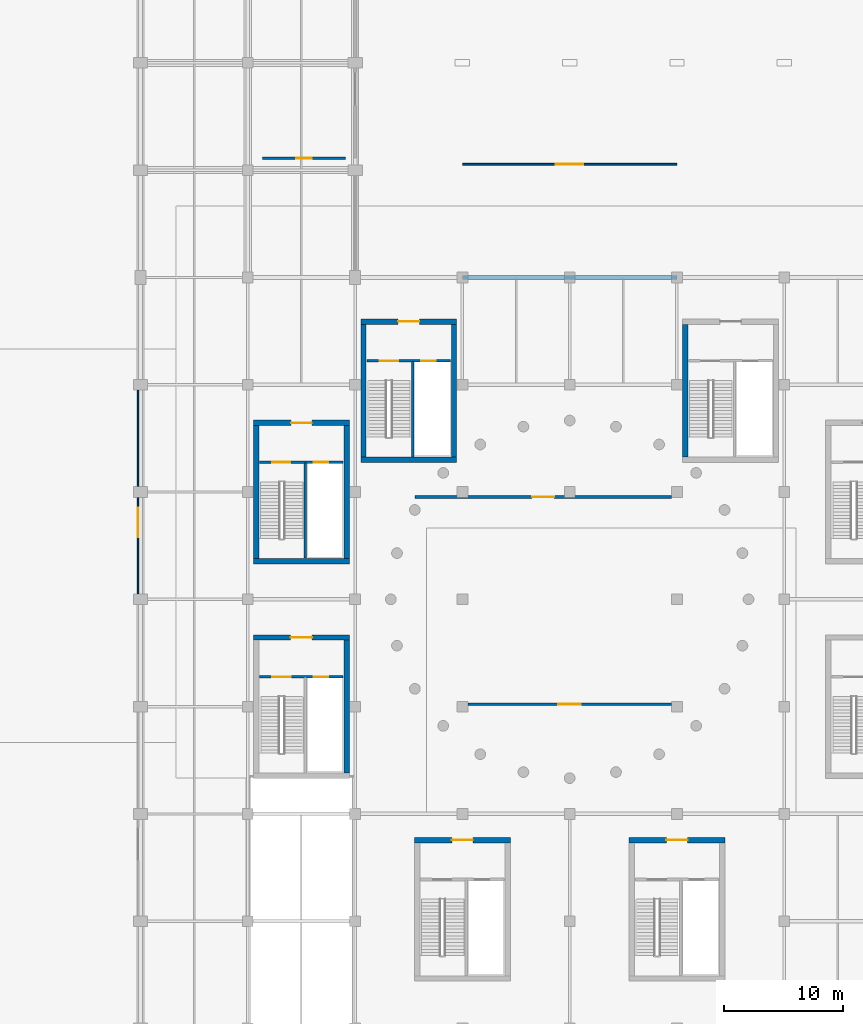
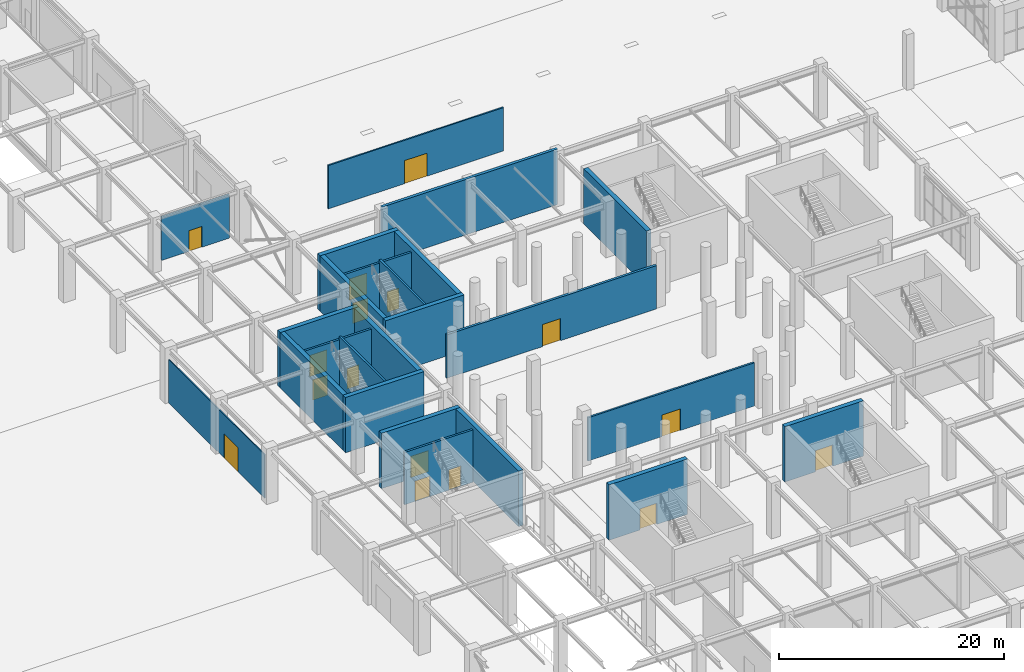
# One storey, part 63 of 91: 24 walls, 16 doors, 16 openings.
"""IFC4 building model written with IfcOpenShell, lengths in metres."""

import ifcopenshell
import ifcopenshell.guid

model = None  # the IFC model being written
_history = None  # IfcOwnerHistory: only IFC2X3 demands one
_inside = {}  # id of a spatial element -> (the spatial element, [elements in it])
_under = {}  # id of a project, library or spatial element -> (it, [spatial elements below it])
_declared = {}  # id of a project -> (the project, [libraries it declares])
_typed = {}  # id of a type object -> (the type object, [elements of that type])
_made_of = {}  # id of a material, layer set ... -> (it, [elements and type objects made of it])


def new_model(schema):
    """Start an empty IFC model of exactly this schema.

    Asked for "IFC4X3", IfcOpenShell would pick the latest addendum, in which some entities
    have other attributes; the version numbers below select the first issue.
    IFC2X3 requires an IfcOwnerHistory on every rooted entity: one is made here for all.
    """
    global model, _history
    if schema == "IFC4X3":
        model = ifcopenshell.file(schema_version=(4, 3, 0, 0))
    else:
        model = ifcopenshell.file(schema=schema)
    _inside.clear()
    _under.clear()
    _declared.clear()
    _typed.clear()
    _made_of.clear()
    _history = None
    if model.schema == "IFC2X3":
        org = make("IfcOrganization", Name="unknown")
        user = make(
            "IfcPersonAndOrganization",
            ThePerson=make("IfcPerson", FamilyName="unknown"),
            TheOrganization=org,
        )
        app = make(
            "IfcApplication",
            ApplicationDeveloper=org,
            Version="unknown",
            ApplicationFullName="unknown",
            ApplicationIdentifier="unknown",
        )
        _history = make(
            "IfcOwnerHistory",
            OwningUser=user,
            OwningApplication=app,
            ChangeAction="ADDED",
            CreationDate=0,
        )
    return model


def make(cls, **values):
    """One entity of the class cls with the attributes given. An attribute that is None is left unset."""
    return model.create_entity(
        cls, **{name: value for name, value in values.items() if value is not None}
    )


def rooted(cls, **values):
    """An entity with a GlobalId (a new one), such as an element, a storey or a relation."""
    return make(cls, GlobalId=ifcopenshell.guid.new(), OwnerHistory=_history, **values)


def si_unit(unit_type, name, prefix=None):
    """IfcSIUnit, for example si_unit("LENGTHUNIT", "METRE", prefix="MILLI")."""
    return make("IfcSIUnit", UnitType=unit_type, Prefix=prefix, Name=name)


def assignment(units):
    """IfcUnitAssignment: the units of a project."""
    return None if units is None else make("IfcUnitAssignment", Units=units)


def point(xyz):
    """IfcCartesianPoint."""
    return None if xyz is None else make("IfcCartesianPoint", Coordinates=xyz)


def direction(xyz):
    """IfcDirection."""
    return None if xyz is None else make("IfcDirection", DirectionRatios=xyz)


def frame(location, z_axis=None, x_axis=None):
    """IfcAxis2Placement3D, a coordinate frame: its origin and axes. An axis left out is left unset."""
    return make(
        "IfcAxis2Placement3D",
        Location=point(location),
        Axis=direction(z_axis),
        RefDirection=direction(x_axis),
    )


def frame_2d(location, x_axis=None):
    """IfcAxis2Placement2D, a coordinate frame in the plane: its origin and x axis."""
    return make(
        "IfcAxis2Placement2D", Location=point(location), RefDirection=direction(x_axis)
    )


def origin():
    """The frame at (0, 0, 0) with its axes left unset."""
    return frame((0.0, 0.0, 0.0))


def place(relative_to, where):
    """IfcLocalPlacement: puts the frame where relative to a parent placement (None: the world)."""
    return make(
        "IfcLocalPlacement", PlacementRelTo=relative_to, RelativePlacement=where
    )


def context(
    kind, dimensions, precision=None, world=None, true_north=None, identifier=None
):
    """IfcGeometricRepresentationContext, for example the 3D "Model" context."""
    return make(
        "IfcGeometricRepresentationContext",
        ContextIdentifier=identifier,
        ContextType=kind,
        CoordinateSpaceDimension=dimensions,
        Precision=precision,
        WorldCoordinateSystem=world,
        TrueNorth=true_north,
    )


def subcontext(parent, identifier, kind, view, scale=None):
    """IfcGeometricRepresentationSubContext, for example "Body" below "Model"."""
    return make(
        "IfcGeometricRepresentationSubContext",
        ContextIdentifier=identifier,
        ContextType=kind,
        ParentContext=parent,
        TargetScale=scale,
        TargetView=view,
    )


def project(units=None, contexts=None):
    """IfcProject with its units and contexts."""
    return rooted(
        "IfcProject",
        Name="project",
        RepresentationContexts=contexts,
        UnitsInContext=assignment(units),
    )


def spatial(cls, under=None, at=None, **own):
    """A site, building, storey or space (cls), placed at a placement, below another one or the project."""
    s = rooted(cls, ObjectPlacement=at, **own)
    if under is not None:
        _under.setdefault(under.id(), (under, []))[1].append(s)
    return s


def profile(cls, at=None, kind="AREA", **sizes):
    """A parametric profile (cls). Its sizes go by their IFC names, for example OverallWidth=200.0."""
    return make(cls, ProfileType=kind, Position=at, **sizes)


def rectangle(**sizes):
    """IfcRectangleProfileDef."""
    return profile("IfcRectangleProfileDef", **sizes)


def extrude(swept, where, along, depth):
    """IfcExtrudedAreaSolid: the profile swept, set in the frame where, extruded along a direction by depth."""
    return make(
        "IfcExtrudedAreaSolid",
        SweptArea=swept,
        Position=where,
        ExtrudedDirection=direction(along),
        Depth=depth,
    )


def shape(context_of_items, identifier, shape_type, items):
    """IfcShapeRepresentation: the items that make up one representation, for example the "Body"."""
    return make(
        "IfcShapeRepresentation",
        ContextOfItems=context_of_items,
        RepresentationIdentifier=identifier,
        RepresentationType=shape_type,
        Items=items,
    )


def material(Name=None, Category=None):
    """IfcMaterial."""
    return make("IfcMaterial", Name=Name, Category=Category)


def layer(
    of_material, thickness, ventilated=None, Name=None, Category=None, Priority=None
):
    """IfcMaterialLayer: one layer of a wall or slab, of a material (None: an air gap)."""
    return make(
        "IfcMaterialLayer",
        Material=of_material,
        LayerThickness=thickness,
        IsVentilated=ventilated,
        Name=Name,
        Category=Category,
        Priority=Priority,
    )


def layer_set(layers, Name=None):
    """IfcMaterialLayerSet."""
    return make("IfcMaterialLayerSet", MaterialLayers=layers, LayerSetName=Name)


def made_of(thing, what):
    """Note that an element or type object is made of a material, layer set ...; save() writes the relation."""
    if what is not None:
        _made_of.setdefault(what.id(), (what, []))[1].append(thing)
    return thing


def type_object(cls, material=None, **own):
    """A type object (cls), such as IfcWallType, which elements share."""
    return made_of(rooted(cls, **own), material)


def element(
    cls,
    number,
    at=None,
    inside=None,
    cuts=None,
    type_object=None,
    material=None,
    context=None,
    identifier="Body",
    shape_type=None,
    held_by="IfcProductDefinitionShape",
    body=None,
    shapes=None,
    **own,
):
    """One element of the class cls, such as IfcWall. Its Tag is "e" and its number.

    at: its placement. inside: the storey or other place that contains it. cuts: it is an
    opening in that element (IfcRelVoidsElement). A single representation is given by context,
    identifier, shape_type and body (its items); several are given by shapes. held_by: the class
    of the entity that holds the representations. save() writes the other relations.
    """
    e = rooted(cls, Tag="e%d" % number, ObjectPlacement=at, **own)
    if body is not None:
        shapes = [shape(context, identifier, shape_type, body)]
    if shapes is not None:
        e.Representation = make(held_by, Representations=shapes)
    if inside is not None:
        _inside.setdefault(inside.id(), (inside, []))[1].append(e)
    if cuts is not None:
        rooted(
            "IfcRelVoidsElement", RelatingBuildingElement=cuts, RelatedOpeningElement=e
        )
    if type_object is not None:
        _typed.setdefault(type_object.id(), (type_object, []))[1].append(e)
    return made_of(e, material)


def fill(opening, filler):
    """IfcRelFillsElement: the door or window that sits in an opening."""
    return rooted(
        "IfcRelFillsElement",
        RelatingOpeningElement=opening,
        RelatedBuildingElement=filler,
    )


def aggregate(whole, parts):
    """IfcRelAggregates: a whole, such as a stair, and the parts it consists of."""
    return rooted("IfcRelAggregates", RelatingObject=whole, RelatedObjects=parts)


def save(model, path):
    """Write the relations noted so far, then the file.

    IfcRelAggregates (storeys below a building ...), IfcRelContainedInSpatialStructure (elements
    in a storey), IfcRelDefinesByType, IfcRelAssociatesMaterial and IfcRelDeclares: one each for
    every whole, place, type object, material and project.
    """
    for whole, parts in _under.values():
        aggregate(whole, parts)
    for where, things in _inside.values():
        rooted(
            "IfcRelContainedInSpatialStructure",
            RelatedElements=things,
            RelatingStructure=where,
        )
    for kind, things in _typed.values():
        rooted("IfcRelDefinesByType", RelatedObjects=things, RelatingType=kind)
    for what, things in _made_of.values():
        rooted("IfcRelAssociatesMaterial", RelatedObjects=things, RelatingMaterial=what)
    for by, libraries in _declared.values():
        rooted("IfcRelDeclares", RelatingContext=by, RelatedDefinitions=libraries)
    model.write(path)


model = new_model("IFC4")

# Units and contexts
model_context = context("Model", 3, precision=1e-05, world=origin(), true_north=direction((0.0, 1.0)))
body_context = subcontext(model_context, "Body", "Model", "MODEL_VIEW")
ifc_project = project(units=[si_unit("LENGTHUNIT", "METRE"), si_unit("AREAUNIT", "SQUARE_METRE"), si_unit("VOLUMEUNIT", "CUBIC_METRE"), si_unit("PLANEANGLEUNIT", "RADIAN"), si_unit("MASSUNIT", "GRAM", prefix="KILO")], contexts=[model_context])

# Site, building, storey
site_placement = place(None, origin())
site = spatial("IfcSite", under=ifc_project, at=site_placement, CompositionType="ELEMENT")
building_placement = place(site_placement, origin())
building = spatial("IfcBuilding", under=site, at=building_placement, Name="Dornveld Trade and Exhibition Forum", CompositionType="ELEMENT")
storey_placement = place(building_placement, origin())
storey = spatial("IfcBuildingStorey", under=building, at=storey_placement, Name="L00", CompositionType="ELEMENT", Elevation=0.0)

# Walls
ifc_material_1 = material(Name="Concrete C40/50", Category="concrete")
ifc_layer_1 = layer(ifc_material_1, 0.449951171875)
ifc_layer_set_1 = layer_set([ifc_layer_1], Name="Concrete C40/50")
wall_type_1 = type_object("IfcWallType", Name="WL-CORE-450", PredefinedType="SHEAR", material=ifc_layer_set_1)
wall_1_placement = place(storey_placement, frame((126.699951171875, 92.925048828125, 0.0), z_axis=(0.0, 0.0, 1.0), x_axis=(0.0, 1.0, 0.0)))
element("IfcWall", 1, at=wall_1_placement, inside=storey, type_object=wall_type_1, Name="CORE-02 L00 shear wall W", PredefinedType="SHEAR", context=body_context, shape_type="SweptSolid", body=[
    extrude(rectangle(XDim=11.14990234375, YDim=0.449951171875, at=frame_2d((5.574951171875, 0.0))), origin(), (0.0, 0.0, 1.0), 6.0),
])
wall_2_placement = place(storey_placement, frame((99.47509765625, 92.699951171875, 0.0), z_axis=(0.0, 0.0, 1.0), x_axis=(1.0, 0.0, 0.0)))
element("IfcWall", 2, at=wall_2_placement, inside=storey, type_object=wall_type_1, Name="CORE-03 L00 shear wall S", PredefinedType="SHEAR", context=body_context, shape_type="SweptSolid", body=[
    extrude(rectangle(XDim=8.0498046875, YDim=0.449951171875, at=frame_2d((4.02490234375, 0.0))), origin(), (0.0, 0.0, 1.0), 6.0),
])

# Wall, opening, door
wall_3_placement = place(storey_placement, frame((99.47509765625, 104.300048828125, 0.0), z_axis=(0.0, 0.0, 1.0), x_axis=(1.0, 0.0, 0.0)))
wall_3 = element("IfcWall", 3, at=wall_3_placement, inside=storey, type_object=wall_type_1, Name="CORE-03 L00 shear wall N", PredefinedType="SHEAR", context=body_context, shape_type="SweptSolid", body=[
    extrude(rectangle(XDim=8.0498046875, YDim=0.449951171875, at=frame_2d((4.02490234375, 0.0))), origin(), (0.0, 0.0, 1.0), 6.0),
])
opening_1_placement = place(wall_3_placement, frame((3.125, 0.0, 0.0)))
opening_1 = element("IfcOpeningElement", 4, at=opening_1_placement, cuts=wall_3, Name="Opening CD-03-L00", PredefinedType="OPENING", context=body_context, shape_type="SweptSolid", body=[
    extrude(rectangle(XDim=1.800048828125, YDim=2.300048828125, at=frame_2d((0.89990234375, 1.14990234375))), frame((0.0, 0.23486328125, 0.0), z_axis=(0.0, -1.0, 0.0), x_axis=(1.0, 0.0, 0.0)), (0.0, 0.0, 1.0), 0.469970703125),
])
ifc_material_2 = material(Name="Steel fire-rated double door assembly", Category="steel")
door_type_1 = type_object("IfcDoorType", Name="DR-CORE-180x230", OperationType="NOTDEFINED", PredefinedType="DOOR", material=ifc_material_2)
door_1_placement = place(opening_1_placement, origin())
door_1 = element("IfcDoor", 5, at=door_1_placement, inside=storey, type_object=door_type_1, Name="CORE-03 L00 core lobby double fire door", OperationType="DOUBLE_DOOR_SINGLE_SWING", OverallHeight=2.300048828125, OverallWidth=1.800048828125, PredefinedType="DOOR", context=body_context, shape_type="SweptSolid", body=[
    extrude(rectangle(XDim=1.800048828125, YDim=2.300048828125, at=frame_2d((0.89990234375, 1.14990234375))), frame((0.0, 0.02490234375, 0.0), z_axis=(0.0, -1.0, 0.0), x_axis=(1.0, 0.0, 0.0)), (0.0, 0.0, 1.0), 0.050048828125),
])
fill(opening_1, door_1)

# Walls
for number, where, z_axis, x_axis, name in (
    (6, (99.699951171875, 92.925048828125, 0.0), (0.0, 0.0, 1.0), (0.0, 1.0, 0.0), "CORE-03 L00 shear wall W"),
    (7, (107.300048828125, 92.925048828125, 0.0), (0.0, 0.0, 1.0), (0.0, 1.0, 0.0), "CORE-03 L00 shear wall E"),
):
    element("IfcWall", number, at=place(storey_placement, frame(where, z_axis=z_axis, x_axis=x_axis)), inside=storey, type_object=wall_type_1, Name=name, PredefinedType="SHEAR", context=body_context, shape_type="SweptSolid", body=[
        extrude(rectangle(XDim=11.14990234375, YDim=0.449951171875, at=frame_2d((5.574951171875, 0.0))), origin(), (0.0, 0.0, 1.0), 6.0),
    ])
wall_4_placement = place(storey_placement, frame((90.47509765625, 84.199951171875, 0.0), z_axis=(0.0, 0.0, 1.0), x_axis=(1.0, 0.0, 0.0)))
element("IfcWall", 8, at=wall_4_placement, inside=storey, type_object=wall_type_1, Name="CORE-04 L00 shear wall S", PredefinedType="SHEAR", context=body_context, shape_type="SweptSolid", body=[
    extrude(rectangle(XDim=8.0498046875, YDim=0.449951171875, at=frame_2d((4.02490234375, 0.0))), origin(), (0.0, 0.0, 1.0), 6.0),
])

# Wall, opening, door
wall_5_placement = place(storey_placement, frame((90.47509765625, 95.800048828125, 0.0), z_axis=(0.0, 0.0, 1.0), x_axis=(1.0, 0.0, 0.0)))
wall_5 = element("IfcWall", 9, at=wall_5_placement, inside=storey, type_object=wall_type_1, Name="CORE-04 L00 shear wall N", PredefinedType="SHEAR", context=body_context, shape_type="SweptSolid", body=[
    extrude(rectangle(XDim=8.0498046875, YDim=0.449951171875, at=frame_2d((4.02490234375, 0.0))), origin(), (0.0, 0.0, 1.0), 6.0),
])
opening_2_placement = place(wall_5_placement, frame((3.14990234375, 0.0, 0.0)))
opening_2 = element("IfcOpeningElement", 10, at=opening_2_placement, cuts=wall_5, Name="Opening CD-04-L00", PredefinedType="OPENING", context=body_context, shape_type="SweptSolid", body=[
    extrude(rectangle(XDim=1.75, YDim=2.300048828125, at=frame_2d((0.875, 1.14990234375))), frame((0.0, 0.23486328125, 0.0), z_axis=(0.0, -1.0, 0.0), x_axis=(1.0, 0.0, 0.0)), (0.0, 0.0, 1.0), 0.469970703125),
])
ifc_material_3 = material(Name="Steel fire-rated double door assembly", Category="steel")
door_type_2 = type_object("IfcDoorType", Name="DR-CORE-175x230", OperationType="NOTDEFINED", PredefinedType="DOOR", material=ifc_material_3)
door_2_placement = place(opening_2_placement, origin())
door_2 = element("IfcDoor", 11, at=door_2_placement, inside=storey, type_object=door_type_2, Name="CORE-04 L00 core lobby double fire door", OperationType="DOUBLE_DOOR_SINGLE_SWING", OverallHeight=2.300048828125, OverallWidth=1.75, PredefinedType="DOOR", context=body_context, shape_type="SweptSolid", body=[
    extrude(rectangle(XDim=1.75, YDim=2.300048828125, at=frame_2d((0.875, 1.14990234375))), frame((0.0, 0.02490234375, 0.0), z_axis=(0.0, -1.0, 0.0), x_axis=(1.0, 0.0, 0.0)), (0.0, 0.0, 1.0), 0.050048828125),
])
fill(opening_2, door_2)

# Walls
for number, where, z_axis, x_axis, name in (
    (12, (90.699951171875, 84.425048828125, 0.0), (0.0, 0.0, 1.0), (0.0, 1.0, 0.0), "CORE-04 L00 shear wall W"),
    (13, (98.300048828125, 84.425048828125, 0.0), (0.0, 0.0, 1.0), (0.0, 1.0, 0.0), "CORE-04 L00 shear wall E"),
):
    element("IfcWall", number, at=place(storey_placement, frame(where, z_axis=z_axis, x_axis=x_axis)), inside=storey, type_object=wall_type_1, Name=name, PredefinedType="SHEAR", context=body_context, shape_type="SweptSolid", body=[
        extrude(rectangle(XDim=11.14990234375, YDim=0.449951171875, at=frame_2d((5.574951171875, 0.0))), origin(), (0.0, 0.0, 1.0), 6.0),
    ])

# Wall, opening, door
wall_6_placement = place(storey_placement, frame((90.47509765625, 77.800048828125, 0.0), z_axis=(0.0, 0.0, 1.0), x_axis=(1.0, 0.0, 0.0)))
wall_6 = element("IfcWall", 14, at=wall_6_placement, inside=storey, type_object=wall_type_1, Name="CORE-05 L00 shear wall N", PredefinedType="SHEAR", context=body_context, shape_type="SweptSolid", body=[
    extrude(rectangle(XDim=8.0498046875, YDim=0.449951171875, at=frame_2d((4.02490234375, 0.0))), origin(), (0.0, 0.0, 1.0), 6.0),
])
opening_3_placement = place(wall_6_placement, frame((3.125, 0.0, 0.0)))
opening_3 = element("IfcOpeningElement", 15, at=opening_3_placement, cuts=wall_6, Name="Opening CD-05-L00", PredefinedType="OPENING", context=body_context, shape_type="SweptSolid", body=[
    extrude(rectangle(XDim=1.800048828125, YDim=2.300048828125, at=frame_2d((0.89990234375, 1.14990234375))), frame((0.0, 0.23486328125, 0.0), z_axis=(0.0, -1.0, 0.0), x_axis=(1.0, 0.0, 0.0)), (0.0, 0.0, 1.0), 0.469970703125),
])
door_3_placement = place(opening_3_placement, origin())
door_3 = element("IfcDoor", 16, at=door_3_placement, inside=storey, type_object=door_type_1, Name="CORE-05 L00 core lobby double fire door", OperationType="DOUBLE_DOOR_SINGLE_SWING", OverallHeight=2.300048828125, OverallWidth=1.800048828125, PredefinedType="DOOR", context=body_context, shape_type="SweptSolid", body=[
    extrude(rectangle(XDim=1.800048828125, YDim=2.300048828125, at=frame_2d((0.89990234375, 1.14990234375))), frame((0.0, 0.02490234375, 0.0), z_axis=(0.0, -1.0, 0.0), x_axis=(1.0, 0.0, 0.0)), (0.0, 0.0, 1.0), 0.050048828125),
])
fill(opening_3, door_3)

# Wall
wall_7_placement = place(storey_placement, frame((98.300048828125, 66.425048828125, 0.0), z_axis=(0.0, 0.0, 1.0), x_axis=(0.0, 1.0, 0.0)))
element("IfcWall", 17, at=wall_7_placement, inside=storey, type_object=wall_type_1, Name="CORE-05 L00 shear wall E", PredefinedType="SHEAR", context=body_context, shape_type="SweptSolid", body=[
    extrude(rectangle(XDim=11.14990234375, YDim=0.449951171875, at=frame_2d((5.574951171875, 0.0))), origin(), (0.0, 0.0, 1.0), 6.0),
])

# Wall, opening, door
wall_8_placement = place(storey_placement, frame((103.97509765625, 60.800048828125, 0.0), z_axis=(0.0, 0.0, 1.0), x_axis=(1.0, 0.0, 0.0)))
wall_8 = element("IfcWall", 18, at=wall_8_placement, inside=storey, type_object=wall_type_1, Name="CORE-06 L00 shear wall N", PredefinedType="SHEAR", context=body_context, shape_type="SweptSolid", body=[
    extrude(rectangle(XDim=8.0498046875, YDim=0.449951171875, at=frame_2d((4.02490234375, 0.0))), origin(), (0.0, 0.0, 1.0), 6.0),
])
opening_4_placement = place(wall_8_placement, frame((3.14990234375, 0.0, 0.0)))
opening_4 = element("IfcOpeningElement", 19, at=opening_4_placement, cuts=wall_8, Name="Opening CD-06-L00", PredefinedType="OPENING", context=body_context, shape_type="SweptSolid", body=[
    extrude(rectangle(XDim=1.75, YDim=2.300048828125, at=frame_2d((0.875, 1.14990234375))), frame((0.0, 0.23486328125, 0.0), z_axis=(0.0, -1.0, 0.0), x_axis=(1.0, 0.0, 0.0)), (0.0, 0.0, 1.0), 0.469970703125),
])
door_4_placement = place(opening_4_placement, origin())
door_4 = element("IfcDoor", 20, at=door_4_placement, inside=storey, type_object=door_type_2, Name="CORE-06 L00 core lobby double fire door", OperationType="DOUBLE_DOOR_SINGLE_SWING", OverallHeight=2.300048828125, OverallWidth=1.75, PredefinedType="DOOR", context=body_context, shape_type="SweptSolid", body=[
    extrude(rectangle(XDim=1.75, YDim=2.300048828125, at=frame_2d((0.875, 1.14990234375))), frame((0.0, 0.02490234375, 0.0), z_axis=(0.0, -1.0, 0.0), x_axis=(1.0, 0.0, 0.0)), (0.0, 0.0, 1.0), 0.050048828125),
])
fill(opening_4, door_4)

wall_9_placement = place(storey_placement, frame((121.97509765625, 60.800048828125, 0.0), z_axis=(0.0, 0.0, 1.0), x_axis=(1.0, 0.0, 0.0)))
wall_9 = element("IfcWall", 21, at=wall_9_placement, inside=storey, type_object=wall_type_1, Name="CORE-07 L00 shear wall N", PredefinedType="SHEAR", context=body_context, shape_type="SweptSolid", body=[
    extrude(rectangle(XDim=8.0498046875, YDim=0.449951171875, at=frame_2d((4.02490234375, 0.0))), origin(), (0.0, 0.0, 1.0), 6.0),
])
opening_5_placement = place(wall_9_placement, frame((3.125, 0.0, 0.0)))
opening_5 = element("IfcOpeningElement", 22, at=opening_5_placement, cuts=wall_9, Name="Opening CD-07-L00", PredefinedType="OPENING", context=body_context, shape_type="SweptSolid", body=[
    extrude(rectangle(XDim=1.800048828125, YDim=2.300048828125, at=frame_2d((0.89990234375, 1.14990234375))), frame((0.0, 0.23486328125, 0.0), z_axis=(0.0, -1.0, 0.0), x_axis=(1.0, 0.0, 0.0)), (0.0, 0.0, 1.0), 0.469970703125),
])
door_5_placement = place(opening_5_placement, origin())
door_5 = element("IfcDoor", 23, at=door_5_placement, inside=storey, type_object=door_type_1, Name="CORE-07 L00 core lobby double fire door", OperationType="DOUBLE_DOOR_SINGLE_SWING", OverallHeight=2.300048828125, OverallWidth=1.800048828125, PredefinedType="DOOR", context=body_context, shape_type="SweptSolid", body=[
    extrude(rectangle(XDim=1.800048828125, YDim=2.300048828125, at=frame_2d((0.89990234375, 1.14990234375))), frame((0.0, 0.02490234375, 0.0), z_axis=(0.0, -1.0, 0.0), x_axis=(1.0, 0.0, 0.0)), (0.0, 0.0, 1.0), 0.050048828125),
])
fill(opening_5, door_5)

# Wall
ifc_material_4 = material(Name="Concrete C40/50", Category="concrete")
ifc_layer_2 = layer(ifc_material_4, 0.300048828125)
ifc_layer_set_2 = layer_set([ifc_layer_2], Name="Concrete C40/50")
wall_type_2 = type_object("IfcWallType", Name="WL-DIV-300", PredefinedType="SHEAR", material=ifc_layer_set_2)
wall_10_placement = place(storey_placement, frame((108.0, 108.0, 0.0), z_axis=(0.0, 0.0, 1.0), x_axis=(1.0, 0.0, 0.0)))
element("IfcWall", 24, at=wall_10_placement, inside=storey, type_object=wall_type_2, Name="L00 fire division shear wall 5", PredefinedType="SHEAR", context=body_context, shape_type="SweptSolid", body=[
    extrude(rectangle(XDim=18.0, YDim=0.300048828125, at=frame_2d((9.0, 0.0))), origin(), (0.0, 0.0, 1.0), 6.0),
])

# Wall, opening, door
ifc_material_5 = material(Name="Acoustic twin-stud gypsum and mineral wool", Category="gypsum")
ifc_layer_3 = layer(ifc_material_5, 0.25)
ifc_layer_set_3 = layer_set([ifc_layer_3], Name="Acoustic twin-stud gypsum and mineral wool")
wall_type_3 = type_object("IfcWallType", Name="WL-INT-AC250", PredefinedType="PARTITIONING", material=ifc_layer_set_3)
wall_11_placement = place(storey_placement, frame((104.02001953125, 89.60009765625, 0.0), z_axis=(0.0, 0.0, 1.0), x_axis=(1.0, 0.0, 0.0)))
wall_11 = element("IfcWall", 25, at=wall_11_placement, inside=storey, type_object=wall_type_3, Name="L00 interior partition 27", PredefinedType="PARTITIONING", context=body_context, shape_type="SweptSolid", body=[
    extrude(rectangle(XDim=21.5, YDim=0.25, at=frame_2d((10.75, 0.0))), origin(), (0.0, 0.0, 1.0), 4.699951171875),
])
opening_6_placement = place(wall_11_placement, frame((9.824951171875, 0.0, 0.0)))
opening_6 = element("IfcOpeningElement", 26, at=opening_6_placement, cuts=wall_11, Name="Opening RD-01-017", PredefinedType="OPENING", context=body_context, shape_type="SweptSolid", body=[
    extrude(rectangle(XDim=1.85009765625, YDim=2.39990234375, at=frame_2d((0.925048828125, 1.199951171875))), frame((0.0, 0.135009765625, 0.0), z_axis=(0.0, -1.0, 0.0), x_axis=(1.0, 0.0, 0.0)), (0.0, 0.0, 1.0), 0.27001953125),
])
ifc_material_6 = material(Name="Bronze-framed glazed retail entrance door", Category="aluminium")
door_type_3 = type_object("IfcDoorType", Name="DR-RET-185x240", OperationType="NOTDEFINED", PredefinedType="DOOR", material=ifc_material_6)
door_6_placement = place(opening_6_placement, origin())
door_6 = element("IfcDoor", 27, at=door_6_placement, inside=storey, type_object=door_type_3, Name="L00 interior room door 17", OperationType="DOUBLE_DOOR_SINGLE_SWING", OverallHeight=2.39990234375, OverallWidth=1.85009765625, PredefinedType="DOOR", context=body_context, shape_type="SweptSolid", body=[
    extrude(rectangle(XDim=1.85009765625, YDim=2.39990234375, at=frame_2d((0.925048828125, 1.199951171875))), frame((0.0, 0.02490234375, 0.0), z_axis=(0.0, -1.0, 0.0), x_axis=(1.0, 0.0, 0.0)), (0.0, 0.0, 1.0), 0.050048828125),
])
fill(opening_6, door_6)

ifc_material_7 = material(Name="Fire-rated steel-stud gypsum board", Category="steel")
ifc_layer_4 = layer(ifc_material_7, 0.18505859375)
ifc_layer_set_4 = layer_set([ifc_layer_4], Name="Fire-rated steel-stud gypsum board")
wall_type_4 = type_object("IfcWallType", Name="WL-INT-FR185", PredefinedType="PARTITIONING", material=ifc_layer_set_4)
wall_12_placement = place(storey_placement, frame((91.219970703125, 118.0, 0.0), z_axis=(0.0, 0.0, 1.0), x_axis=(1.0, 0.0, 0.0)))
wall_12 = element("IfcWall", 28, at=wall_12_placement, inside=storey, type_object=wall_type_4, Name="L00 interior partition 89", PredefinedType="PARTITIONING", context=body_context, shape_type="SweptSolid", body=[
    extrude(rectangle(XDim=6.9599609375, YDim=0.18505859375, at=frame_2d((3.47998046875, 0.0))), origin(), (0.0, 0.0, 1.0), 4.699951171875),
])
opening_7_placement = place(wall_12_placement, frame((2.830078125, 0.0, 0.0)))
opening_7 = element("IfcOpeningElement", 29, at=opening_7_placement, cuts=wall_12, Name="Opening PD-03-058", PredefinedType="OPENING", context=body_context, shape_type="SweptSolid", body=[
    extrude(rectangle(XDim=1.300048828125, YDim=2.25, at=frame_2d((0.64990234375, 1.125))), frame((0.0, 0.1025390625, 0.0), z_axis=(0.0, -1.0, 0.0), x_axis=(1.0, 0.0, 0.0)), (0.0, 0.0, 1.0), 0.205078125),
])
ifc_material_8 = material(Name="Galvanised steel store fire door", Category="steel")
door_type_4 = type_object("IfcDoorType", Name="DR-PLT-130x225", OperationType="NOTDEFINED", PredefinedType="DOOR", material=ifc_material_8)
door_7_placement = place(opening_7_placement, origin())
door_7 = element("IfcDoor", 30, at=door_7_placement, inside=storey, type_object=door_type_4, Name="L00 interior room door 58", OperationType="SINGLE_SWING_RIGHT", OverallHeight=2.25, OverallWidth=1.300048828125, PredefinedType="DOOR", context=body_context, shape_type="SweptSolid", body=[
    extrude(rectangle(XDim=1.300048828125, YDim=2.25, at=frame_2d((0.64990234375, 1.125))), frame((0.0, 0.02490234375, 0.0), z_axis=(0.0, -1.0, 0.0), x_axis=(1.0, 0.0, 0.0)), (0.0, 0.0, 1.0), 0.050048828125),
])
fill(opening_7, door_7)

wall_13_placement = place(storey_placement, frame((108.47998046875, 72.199951171875, 0.0), z_axis=(0.0, 0.0, 1.0), x_axis=(1.0, 0.0, 0.0)))
wall_13 = element("IfcWall", 31, at=wall_13_placement, inside=storey, type_object=wall_type_4, Name="L00 interior partition 98", PredefinedType="PARTITIONING", context=body_context, shape_type="SweptSolid", body=[
    extrude(rectangle(XDim=17.0400390625, YDim=0.18505859375, at=frame_2d((8.52001953125, 0.0))), origin(), (0.0, 0.0, 1.0), 4.699951171875),
])
opening_8_placement = place(wall_13_placement, frame((7.580078125, 0.0, 0.0)))
opening_8 = element("IfcOpeningElement", 32, at=opening_8_placement, cuts=wall_13, Name="Opening MSD-02-064", PredefinedType="OPENING", context=body_context, shape_type="SweptSolid", body=[
    extrude(rectangle(XDim=1.8798828125, YDim=2.35009765625, at=frame_2d((0.93994140625, 1.175048828125))), frame((0.0, 0.1025390625, 0.0), z_axis=(0.0, -1.0, 0.0), x_axis=(1.0, 0.0, 0.0)), (0.0, 0.0, 1.0), 0.205078125),
])
ifc_material_9 = material(Name="Acoustic seminar double door", Category="wood")
door_type_5 = type_object("IfcDoorType", Name="DR-SUB-188x235", OperationType="NOTDEFINED", PredefinedType="DOOR", material=ifc_material_9)
door_8_placement = place(opening_8_placement, origin())
door_8 = element("IfcDoor", 33, at=door_8_placement, inside=storey, type_object=door_type_5, Name="L00 interior room door 64", OperationType="DOUBLE_DOOR_SINGLE_SWING", OverallHeight=2.35009765625, OverallWidth=1.8798828125, PredefinedType="DOOR", context=body_context, shape_type="SweptSolid", body=[
    extrude(rectangle(XDim=1.8798828125, YDim=2.35009765625, at=frame_2d((0.93994140625, 1.175048828125))), frame((0.0, 0.02490234375, 0.0), z_axis=(0.0, -1.0, 0.0), x_axis=(1.0, 0.0, 0.0)), (0.0, 0.0, 1.0), 0.050048828125),
])
fill(opening_8, door_8)

ifc_material_10 = material(Name="Framed acoustic glass office partition", Category="glass")
ifc_layer_5 = layer(ifc_material_10, 0.10498046875)
ifc_layer_set_5 = layer_set([ifc_layer_5], Name="Framed acoustic glass office partition")
wall_type_5 = type_object("IfcWallType", Name="WL-INT-GL105", PredefinedType="PARTITIONING", material=ifc_layer_set_5)
wall_14_placement = place(storey_placement, frame((80.800048828125, 81.47998046875, 0.0), z_axis=(0.0, 0.0, 1.0), x_axis=(0.0, 1.0, 0.0)))
wall_14 = element("IfcWall", 34, at=wall_14_placement, inside=storey, type_object=wall_type_5, Name="L00 interior partition 24", PredefinedType="PARTITIONING", context=body_context, shape_type="SweptSolid", body=[
    extrude(rectangle(XDim=17.0400390625, YDim=0.10498046875, at=frame_2d((8.52001953125, 0.0))), origin(), (0.0, 0.0, 1.0), 4.699951171875),
])
opening_9_placement = place(wall_14_placement, frame((4.714111328125, 0.0, 0.0)))
opening_9 = element("IfcOpeningElement", 35, at=opening_9_placement, cuts=wall_14, Name="Opening HD-02-014", PredefinedType="OPENING", context=body_context, shape_type="SweptSolid", body=[
    extrude(rectangle(XDim=2.5, YDim=2.60009765625, at=frame_2d((1.25, 1.300048828125))), frame((0.0, 0.0625, 0.0), z_axis=(0.0, -1.0, 0.0), x_axis=(1.0, 0.0, 0.0)), (0.0, 0.0, 1.0), 0.125),
])
ifc_material_11 = material(Name="Acoustic steel exhibition double door", Category="steel")
door_type_6 = type_object("IfcDoorType", Name="DR-HALL-250x260", OperationType="NOTDEFINED", PredefinedType="DOOR", material=ifc_material_11)
door_9_placement = place(opening_9_placement, origin())
door_9 = element("IfcDoor", 36, at=door_9_placement, inside=storey, type_object=door_type_6, Name="L00 interior room door 14", OperationType="DOUBLE_DOOR_SINGLE_SWING", OverallHeight=2.60009765625, OverallWidth=2.5, PredefinedType="DOOR", context=body_context, shape_type="SweptSolid", body=[
    extrude(rectangle(XDim=2.5, YDim=2.60009765625, at=frame_2d((1.25, 1.300048828125))), frame((0.0, 0.02490234375, 0.0), z_axis=(0.0, -1.0, 0.0), x_axis=(1.0, 0.0, 0.0)), (0.0, 0.0, 1.0), 0.050048828125),
])
fill(opening_9, door_9)

# Wall, openings, doors
ifc_material_12 = material(Name="Concrete C40/50", Category="concrete")
ifc_layer_6 = layer(ifc_material_12, 0.219970703125)
ifc_layer_set_6 = layer_set([ifc_layer_6], Name="Concrete C40/50")
wall_type_6 = type_object("IfcWallType", Name="WL-INT-LOB220", PredefinedType="SOLIDWALL", material=ifc_layer_set_6)
wall_15_placement = place(storey_placement, frame((100.0, 101.0, 0.0), z_axis=(0.0, 0.0, 1.0), x_axis=(1.0, 0.0, 0.0)))
wall_15 = element("IfcWall", 37, at=wall_15_placement, inside=storey, type_object=wall_type_6, Name="CORE-03 L00 protected lobby bulkhead wall", PredefinedType="SOLIDWALL", context=body_context, shape_type="SweptSolid", body=[
    extrude(rectangle(XDim=7.0, YDim=0.219970703125, at=frame_2d((3.5, 0.0))), origin(), (0.0, 0.0, 1.0), 5.679931640625),
])
opening_10_placement = place(wall_15_placement, frame((1.050048828125, 0.0, 0.0)))
opening_10 = element("IfcOpeningElement", 38, at=opening_10_placement, cuts=wall_15, Name="Opening SD-03-L00", PredefinedType="OPENING", context=body_context, shape_type="SweptSolid", body=[
    extrude(rectangle(XDim=1.550048828125, YDim=2.199951171875, at=frame_2d((0.77490234375, 1.10009765625))), frame((0.0, 0.119873046875, 0.0), z_axis=(0.0, -1.0, 0.0), x_axis=(1.0, 0.0, 0.0)), (0.0, 0.0, 1.0), 0.239990234375),
])
opening_11_placement = place(wall_15_placement, frame((4.550048828125, 0.0, 0.0)))
opening_11 = element("IfcOpeningElement", 39, at=opening_11_placement, cuts=wall_15, Name="Opening LD-03-L00", PredefinedType="OPENING", context=body_context, shape_type="SweptSolid", body=[
    extrude(rectangle(XDim=1.199951171875, YDim=2.199951171875, at=frame_2d((0.60009765625, 1.10009765625))), frame((0.0, 0.119873046875, 0.0), z_axis=(0.0, -1.0, 0.0), x_axis=(1.0, 0.0, 0.0)), (0.0, 0.0, 1.0), 0.239990234375),
])
ifc_material_13 = material(Name="Brushed stainless steel sliding lift landing door", Category="steel")
door_type_7 = type_object("IfcDoorType", Name="DR-LIFT-120x220", OperationType="NOTDEFINED", PredefinedType="DOOR", material=ifc_material_13)
door_10_placement = place(opening_11_placement, origin())
door_10 = element("IfcDoor", 40, at=door_10_placement, inside=storey, type_object=door_type_7, Name="CORE-03 L00 lift sliding landing door", OperationType="SLIDING_TO_LEFT", OverallHeight=2.199951171875, OverallWidth=1.199951171875, PredefinedType="DOOR", context=body_context, shape_type="SweptSolid", body=[
    extrude(rectangle(XDim=1.199951171875, YDim=2.199951171875, at=frame_2d((0.60009765625, 1.10009765625))), frame((0.0, 0.02490234375, 0.0), z_axis=(0.0, -1.0, 0.0), x_axis=(1.0, 0.0, 0.0)), (0.0, 0.0, 1.0), 0.050048828125),
])
fill(opening_11, door_10)
ifc_material_14 = material(Name="Steel fire-rated stair door assembly", Category="steel")
door_type_8 = type_object("IfcDoorType", Name="DR-STAIR-155x220", OperationType="NOTDEFINED", PredefinedType="DOOR", material=ifc_material_14)
door_11_placement = place(opening_10_placement, origin())
door_11 = element("IfcDoor", 41, at=door_11_placement, inside=storey, type_object=door_type_8, Name="CORE-03 L00 protected stair door", OperationType="SINGLE_SWING_LEFT", OverallHeight=2.199951171875, OverallWidth=1.550048828125, PredefinedType="DOOR", context=body_context, shape_type="SweptSolid", body=[
    extrude(rectangle(XDim=1.550048828125, YDim=2.199951171875, at=frame_2d((0.77490234375, 1.10009765625))), frame((0.0, 0.02490234375, 0.0), z_axis=(0.0, -1.0, 0.0), x_axis=(1.0, 0.0, 0.0)), (0.0, 0.0, 1.0), 0.050048828125),
])
fill(opening_10, door_11)

wall_16_placement = place(storey_placement, frame((91.0, 92.5, 0.0), z_axis=(0.0, 0.0, 1.0), x_axis=(1.0, 0.0, 0.0)))
wall_16 = element("IfcWall", 42, at=wall_16_placement, inside=storey, type_object=wall_type_6, Name="CORE-04 L00 protected lobby bulkhead wall", PredefinedType="SOLIDWALL", context=body_context, shape_type="SweptSolid", body=[
    extrude(rectangle(XDim=7.0, YDim=0.219970703125, at=frame_2d((3.5, 0.0))), origin(), (0.0, 0.0, 1.0), 5.679931640625),
])
opening_12_placement = place(wall_16_placement, frame((1.050048828125, 0.0, 0.0)))
opening_12 = element("IfcOpeningElement", 43, at=opening_12_placement, cuts=wall_16, Name="Opening SD-04-L00", PredefinedType="OPENING", context=body_context, shape_type="SweptSolid", body=[
    extrude(rectangle(XDim=1.5, YDim=2.199951171875, at=frame_2d((0.75, 1.10009765625))), frame((0.0, 0.119873046875, 0.0), z_axis=(0.0, -1.0, 0.0), x_axis=(1.0, 0.0, 0.0)), (0.0, 0.0, 1.0), 0.239990234375),
])
opening_13_placement = place(wall_16_placement, frame((4.550048828125, 0.0, 0.0)))
opening_13 = element("IfcOpeningElement", 44, at=opening_13_placement, cuts=wall_16, Name="Opening LD-04-L00", PredefinedType="OPENING", context=body_context, shape_type="SweptSolid", body=[
    extrude(rectangle(XDim=1.199951171875, YDim=2.199951171875, at=frame_2d((0.60009765625, 1.10009765625))), frame((0.0, 0.119873046875, 0.0), z_axis=(0.0, -1.0, 0.0), x_axis=(1.0, 0.0, 0.0)), (0.0, 0.0, 1.0), 0.239990234375),
])
door_12_placement = place(opening_13_placement, origin())
door_12 = element("IfcDoor", 45, at=door_12_placement, inside=storey, type_object=door_type_7, Name="CORE-04 L00 lift sliding landing door", OperationType="SLIDING_TO_RIGHT", OverallHeight=2.199951171875, OverallWidth=1.199951171875, PredefinedType="DOOR", context=body_context, shape_type="SweptSolid", body=[
    extrude(rectangle(XDim=1.199951171875, YDim=2.199951171875, at=frame_2d((0.60009765625, 1.10009765625))), frame((0.0, 0.02490234375, 0.0), z_axis=(0.0, -1.0, 0.0), x_axis=(1.0, 0.0, 0.0)), (0.0, 0.0, 1.0), 0.050048828125),
])
fill(opening_13, door_12)
ifc_material_15 = material(Name="Steel fire-rated stair door assembly", Category="steel")
door_type_9 = type_object("IfcDoorType", Name="DR-STAIR-150x220", OperationType="NOTDEFINED", PredefinedType="DOOR", material=ifc_material_15)
door_13_placement = place(opening_12_placement, origin())
door_13 = element("IfcDoor", 46, at=door_13_placement, inside=storey, type_object=door_type_9, Name="CORE-04 L00 protected stair door", OperationType="SINGLE_SWING_RIGHT", OverallHeight=2.199951171875, OverallWidth=1.5, PredefinedType="DOOR", context=body_context, shape_type="SweptSolid", body=[
    extrude(rectangle(XDim=1.5, YDim=2.199951171875, at=frame_2d((0.75, 1.10009765625))), frame((0.0, 0.02490234375, 0.0), z_axis=(0.0, -1.0, 0.0), x_axis=(1.0, 0.0, 0.0)), (0.0, 0.0, 1.0), 0.050048828125),
])
fill(opening_12, door_13)

wall_17_placement = place(storey_placement, frame((91.0, 74.5, 0.0), z_axis=(0.0, 0.0, 1.0), x_axis=(1.0, 0.0, 0.0)))
wall_17 = element("IfcWall", 47, at=wall_17_placement, inside=storey, type_object=wall_type_6, Name="CORE-05 L00 protected lobby bulkhead wall", PredefinedType="SOLIDWALL", context=body_context, shape_type="SweptSolid", body=[
    extrude(rectangle(XDim=7.0, YDim=0.219970703125, at=frame_2d((3.5, 0.0))), origin(), (0.0, 0.0, 1.0), 5.679931640625),
])
opening_14_placement = place(wall_17_placement, frame((1.050048828125, 0.0, 0.0)))
opening_14 = element("IfcOpeningElement", 48, at=opening_14_placement, cuts=wall_17, Name="Opening SD-05-L00", PredefinedType="OPENING", context=body_context, shape_type="SweptSolid", body=[
    extrude(rectangle(XDim=1.550048828125, YDim=2.199951171875, at=frame_2d((0.77490234375, 1.10009765625))), frame((0.0, 0.119873046875, 0.0), z_axis=(0.0, -1.0, 0.0), x_axis=(1.0, 0.0, 0.0)), (0.0, 0.0, 1.0), 0.239990234375),
])
opening_15_placement = place(wall_17_placement, frame((4.550048828125, 0.0, 0.0)))
opening_15 = element("IfcOpeningElement", 49, at=opening_15_placement, cuts=wall_17, Name="Opening LD-05-L00", PredefinedType="OPENING", context=body_context, shape_type="SweptSolid", body=[
    extrude(rectangle(XDim=1.199951171875, YDim=2.199951171875, at=frame_2d((0.60009765625, 1.10009765625))), frame((0.0, 0.119873046875, 0.0), z_axis=(0.0, -1.0, 0.0), x_axis=(1.0, 0.0, 0.0)), (0.0, 0.0, 1.0), 0.239990234375),
])
door_14_placement = place(opening_15_placement, origin())
door_14 = element("IfcDoor", 50, at=door_14_placement, inside=storey, type_object=door_type_7, Name="CORE-05 L00 lift sliding landing door", OperationType="SLIDING_TO_LEFT", OverallHeight=2.199951171875, OverallWidth=1.199951171875, PredefinedType="DOOR", context=body_context, shape_type="SweptSolid", body=[
    extrude(rectangle(XDim=1.199951171875, YDim=2.199951171875, at=frame_2d((0.60009765625, 1.10009765625))), frame((0.0, 0.02490234375, 0.0), z_axis=(0.0, -1.0, 0.0), x_axis=(1.0, 0.0, 0.0)), (0.0, 0.0, 1.0), 0.050048828125),
])
fill(opening_15, door_14)
door_15_placement = place(opening_14_placement, origin())
door_15 = element("IfcDoor", 51, at=door_15_placement, inside=storey, type_object=door_type_8, Name="CORE-05 L00 protected stair door", OperationType="SINGLE_SWING_LEFT", OverallHeight=2.199951171875, OverallWidth=1.550048828125, PredefinedType="DOOR", context=body_context, shape_type="SweptSolid", body=[
    extrude(rectangle(XDim=1.550048828125, YDim=2.199951171875, at=frame_2d((0.77490234375, 1.10009765625))), frame((0.0, 0.02490234375, 0.0), z_axis=(0.0, -1.0, 0.0), x_axis=(1.0, 0.0, 0.0)), (0.0, 0.0, 1.0), 0.050048828125),
])
fill(opening_14, door_15)

# Walls
ifc_material_16 = material(Name="Concrete C40/50", Category="concrete")
ifc_layer_7 = layer(ifc_material_16, 0.199951171875)
ifc_layer_set_7 = layer_set([ifc_layer_7], Name="Concrete C40/50")
wall_type_7 = type_object("IfcWallType", Name="WL-INT-SHAFT200", PredefinedType="SOLIDWALL", material=ifc_layer_set_7)
for number, where, z_axis, x_axis, name in (
    (52, (103.820068359375, 92.949951171875, 0.0), (0.0, 0.0, 1.0), (0.0, 1.0, 0.0), "CORE-03 L00 lift-stair structural shaft wall"),
    (53, (94.820068359375, 84.449951171875, 0.0), (0.0, 0.0, 1.0), (0.0, 1.0, 0.0), "CORE-04 L00 lift-stair structural shaft wall"),
):
    element("IfcWall", number, at=place(storey_placement, frame(where, z_axis=z_axis, x_axis=x_axis)), inside=storey, type_object=wall_type_7, Name=name, PredefinedType="SOLIDWALL", context=body_context, shape_type="SweptSolid", body=[
        extrude(rectangle(XDim=8.0, YDim=0.199951171875, at=frame_2d((4.0, 0.0))), origin(), (0.0, 0.0, 1.0), 6.0),
    ])

# Wall, opening, door
ifc_material_17 = material(Name="Steel-stud gypsum partition", Category="steel")
ifc_layer_8 = layer(ifc_material_17, 0.14501953125)
ifc_layer_set_8 = layer_set([ifc_layer_8], Name="Steel-stud gypsum partition")
wall_type_8 = type_object("IfcWallType", Name="WL-INT-ST145", PredefinedType="PARTITIONING", material=ifc_layer_set_8)
wall_18_placement = place(storey_placement, frame((108.02001953125, 117.5, 0.0), z_axis=(0.0, 0.0, 1.0), x_axis=(1.0, 0.0, 0.0)))
wall_18 = element("IfcWall", 54, at=wall_18_placement, inside=storey, type_object=wall_type_8, Name="L00 interior partition 20", PredefinedType="PARTITIONING", context=body_context, shape_type="SweptSolid", body=[
    extrude(rectangle(XDim=17.9599609375, YDim=0.14501953125, at=frame_2d((8.97998046875, 0.0))), origin(), (0.0, 0.0, 1.0), 4.699951171875),
])
opening_16_placement = place(wall_18_placement, frame((7.830078125, 0.0, 0.0)))
opening_16 = element("IfcOpeningElement", 55, at=opening_16_placement, cuts=wall_18, Name="Opening HD-03-010", PredefinedType="OPENING", context=body_context, shape_type="SweptSolid", body=[
    extrude(rectangle(XDim=2.300048828125, YDim=2.5, at=frame_2d((1.14990234375, 1.25))), frame((0.0, 0.08251953125, 0.0), z_axis=(0.0, -1.0, 0.0), x_axis=(1.0, 0.0, 0.0)), (0.0, 0.0, 1.0), 0.1650390625),
])
ifc_material_18 = material(Name="Acoustic steel exhibition double door", Category="steel")
door_type_10 = type_object("IfcDoorType", Name="DR-HALL-230x250", OperationType="NOTDEFINED", PredefinedType="DOOR", material=ifc_material_18)
door_16_placement = place(opening_16_placement, origin())
door_16 = element("IfcDoor", 56, at=door_16_placement, inside=storey, type_object=door_type_10, Name="L00 interior room door 10", OperationType="DOUBLE_DOOR_SINGLE_SWING", OverallHeight=2.5, OverallWidth=2.300048828125, PredefinedType="DOOR", context=body_context, shape_type="SweptSolid", body=[
    extrude(rectangle(XDim=2.300048828125, YDim=2.5, at=frame_2d((1.14990234375, 1.25))), frame((0.0, 0.02490234375, 0.0), z_axis=(0.0, -1.0, 0.0), x_axis=(1.0, 0.0, 0.0)), (0.0, 0.0, 1.0), 0.050048828125),
])
fill(opening_16, door_16)

save(model, "model.ifc")
